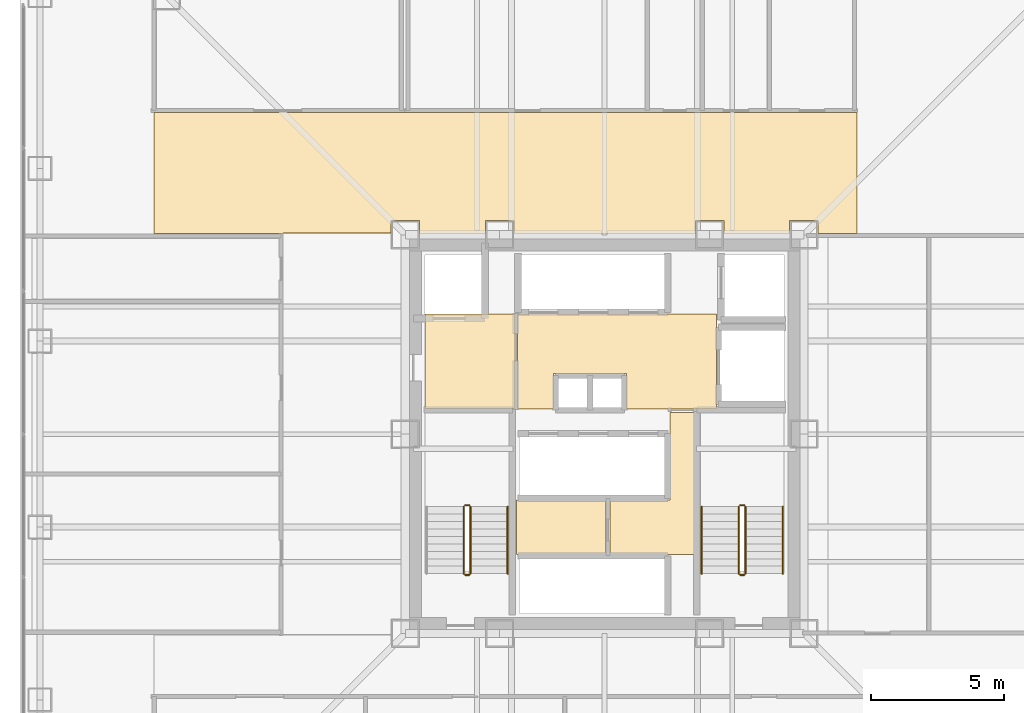
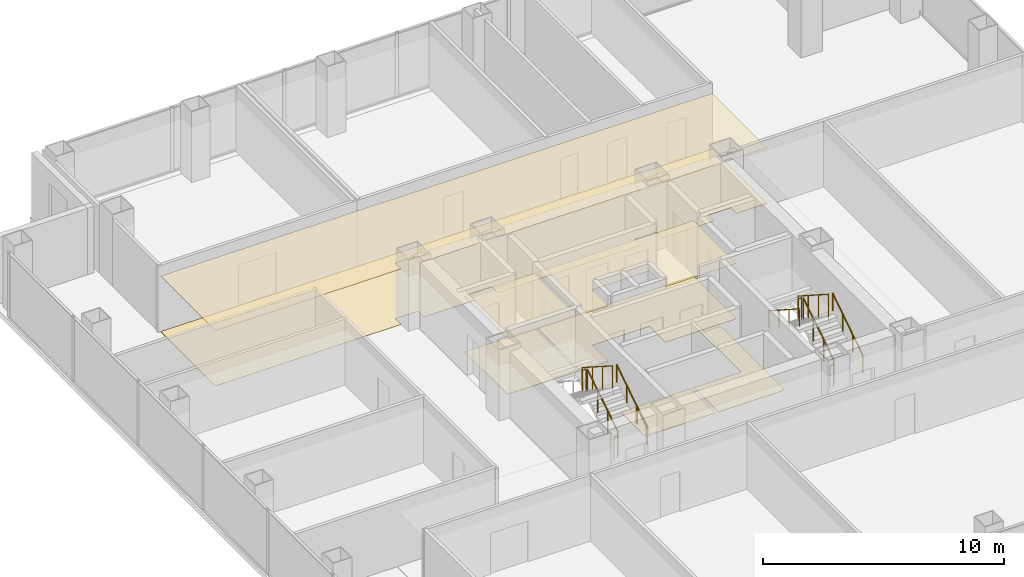
# One storey, part 13 of 14: 11 railings, 8 coverings.
"""IFC4 building model written with IfcOpenShell, lengths in metres."""

from ifc_helpers import new_model, si_unit, direction, frame, origin, origin_2d, place, context, subcontext, project, spatial, polyline, circle, outline, extrude, material, layer, layer_set, type_object, element, save


model = new_model("IFC4")

# Units and contexts
model_context = context("Model", 3, precision=1e-05, world=origin(), true_north=direction((0.0, 1.0)))
body_context = subcontext(model_context, "Body", "Model", "MODEL_VIEW")
ifc_project = project(units=[si_unit("LENGTHUNIT", "METRE"), si_unit("AREAUNIT", "SQUARE_METRE"), si_unit("VOLUMEUNIT", "CUBIC_METRE"), si_unit("PLANEANGLEUNIT", "RADIAN"), si_unit("MASSUNIT", "GRAM", prefix="KILO")], contexts=[model_context])

# Site, building, storey
site_placement = place(None, origin())
site = spatial("IfcSite", under=ifc_project, at=site_placement, CompositionType="ELEMENT")
building_placement = place(site_placement, origin())
building = spatial("IfcBuilding", under=site, at=building_placement, Name="Trevonay Congress Spire", CompositionType="ELEMENT")
storey_placement = place(building_placement, frame((0.0, 0.0, 97.60009765625)))
storey = spatial("IfcBuildingStorey", under=building, at=storey_placement, Name="L24", CompositionType="ELEMENT", Elevation=97.60009765625)

# Coverings
ifc_material_1 = material(Name="Acoustic Mineral Fibre Board", Category="gypsum")
ifc_layer_1 = layer(ifc_material_1, 0.02490234375, Name="Acoustic Mineral Fibre Board")
ifc_layer_set_1 = layer_set([ifc_layer_1], Name="Acoustic Mineral Fibre Board")
covering_type_1 = type_object("IfcCoveringType", Name="COV-CEIL-ACOUSTIC", PredefinedType="CEILING", material=ifc_layer_set_1)
covering_1_placement = place(storey_placement, frame((0.0, 0.0, 2.809814453125)))
element("IfcCovering", 1, at=covering_1_placement, inside=storey, type_object=covering_type_1, Name="L24 Firefighting Lift Lobby West acoustic suspended ceiling", PredefinedType="CEILING", context=body_context, shape_type="SweptSolid", body=[
    extrude(outline(polyline([(-6.75, 0.9599609375), (-3.3798828125, 0.9599609375), (-3.3798828125, 4.52001953125), (-6.75, 4.52001953125), (-6.75, 0.9599609375)])), origin(), (0.0, 0.0, 1.0), 0.025146484375),
])
covering_2_placement = place(storey_placement, frame((0.0, 0.0, 2.809814453125)))
element("IfcCovering", 2, at=covering_2_placement, inside=storey, type_object=covering_type_1, Name="L24 Central and High-Rise Passenger Lift Lobby acoustic suspended ceiling", PredefinedType="CEILING", context=body_context, shape_type="SweptSolid", body=[
    extrude(outline(polyline([(-3.280029296875, 0.949951171875), (-1.919921875, 0.949951171875), (-1.919921875, 2.280029296875), (0.820068359375, 2.280029296875), (0.820068359375, 0.949951171875), (4.219970703125, 0.949951171875), (4.219970703125, 4.52001953125), (-3.280029296875, 4.52001953125), (-3.280029296875, 0.949951171875)])), origin(), (0.0, 0.0, 1.0), 0.025146484375),
])
covering_3_placement = place(storey_placement, frame((0.0, 0.0, 2.809814453125)))
element("IfcCovering", 3, at=covering_3_placement, inside=storey, type_object=covering_type_1, Name="L24 North Sky Promenade Salon acoustic suspended ceiling", PredefinedType="CEILING", context=body_context, shape_type="SweptSolid", body=[
    extrude(outline(polyline([(-16.949951171875, 12.10009765625), (9.5, 12.10009765625), (9.5, 7.550048828125), (8.034912109375, 7.550048828125), (8.034912109375, 8.034912109375), (6.965087890625, 8.034912109375), (6.965087890625, 7.550048828125), (4.485107421875, 7.550048828125), (4.485107421875, 8.034912109375), (3.4150390625, 8.034912109375), (3.4150390625, 7.550048828125), (-3.4150390625, 7.550048828125), (-3.4150390625, 8.034912109375), (-4.485107421875, 8.034912109375), (-4.485107421875, 7.550048828125), (-6.965087890625, 7.550048828125), (-6.965087890625, 8.034912109375), (-8.034912109375, 8.034912109375), (-8.034912109375, 7.56005859375), (-12.110107421875, 7.56005859375), (-12.110107421875, 7.550048828125), (-16.949951171875, 7.550048828125), (-16.949951171875, 12.10009765625)])), origin(), (0.0, 0.0, 1.0), 0.025146484375),
])
ifc_material_2 = material(Name="Polished Granite Floor Tile", Category="masonry")
ifc_layer_2 = layer(ifc_material_2, 0.02001953125, Name="Polished Granite Floor Tile")
ifc_layer_set_2 = layer_set([ifc_layer_2], Name="Polished Granite Floor Tile")
covering_type_2 = type_object("IfcCoveringType", Name="COV-FLOOR-STONE", PredefinedType="FLOORING", material=ifc_layer_set_2)
covering_4_placement = place(storey_placement, origin())
element("IfcCovering", 4, at=covering_4_placement, inside=storey, type_object=covering_type_2, Name="L24 Firefighting Lift Lobby West floor finish", PredefinedType="FLOORING", context=body_context, shape_type="SweptSolid", body=[
    extrude(outline(polyline([(-6.75, 0.9599609375), (-3.3798828125, 0.9599609375), (-3.3798828125, 4.52001953125), (-6.75, 4.52001953125), (-6.75, 0.9599609375)])), origin(), (0.0, 0.0, 1.0), 0.02001953125),
])
covering_5_placement = place(storey_placement, origin())
element("IfcCovering", 5, at=covering_5_placement, inside=storey, type_object=covering_type_2, Name="L24 Central and High-Rise Passenger Lift Lobby floor finish", PredefinedType="FLOORING", context=body_context, shape_type="SweptSolid", body=[
    extrude(outline(polyline([(-3.280029296875, 0.949951171875), (-1.919921875, 0.949951171875), (-1.919921875, 2.280029296875), (0.820068359375, 2.280029296875), (0.820068359375, 0.949951171875), (4.219970703125, 0.949951171875), (4.219970703125, 4.52001953125), (-3.280029296875, 4.52001953125), (-3.280029296875, 0.949951171875)])), origin(), (0.0, 0.0, 1.0), 0.02001953125),
])
covering_6_placement = place(storey_placement, origin())
element("IfcCovering", 6, at=covering_6_placement, inside=storey, type_object=covering_type_2, Name="L24 Cleaner and Linen Closet floor finish", PredefinedType="FLOORING", context=body_context, shape_type="SweptSolid", body=[
    extrude(outline(polyline([(-3.320068359375, -4.52001953125), (0.050048828125, -4.52001953125), (0.050048828125, -2.47998046875), (-3.320068359375, -2.47998046875), (-3.320068359375, -4.52001953125)])), origin(), (0.0, 0.0, 1.0), 0.02001953125),
])
covering_7_placement = place(storey_placement, origin())
element("IfcCovering", 7, at=covering_7_placement, inside=storey, type_object=covering_type_2, Name="L24 BMS Control Room floor finish", PredefinedType="FLOORING", context=body_context, shape_type="SweptSolid", body=[
    extrude(outline(polyline([(0.199951171875, -4.52001953125), (3.3798828125, -4.52001953125), (3.3798828125, 0.820068359375), (2.4599609375, 0.820068359375), (2.4599609375, -2.47998046875), (0.199951171875, -2.47998046875), (0.199951171875, -4.52001953125)])), origin(), (0.0, 0.0, 1.0), 0.02001953125),
])
ifc_material_3 = material(Name="Engineered Oak Flooring", Category="wood")
ifc_layer_3 = layer(ifc_material_3, 0.01806640625, Name="Engineered Oak Flooring")
ifc_layer_set_3 = layer_set([ifc_layer_3], Name="Engineered Oak Flooring")
covering_type_3 = type_object("IfcCoveringType", Name="COV-FLOOR-TIMBER", PredefinedType="FLOORING", material=ifc_layer_set_3)
covering_8_placement = place(storey_placement, origin())
element("IfcCovering", 8, at=covering_8_placement, inside=storey, type_object=covering_type_3, Name="L24 North Sky Promenade Salon floor finish", PredefinedType="FLOORING", context=body_context, shape_type="SweptSolid", body=[
    extrude(outline(polyline([(-16.949951171875, 12.10009765625), (9.5, 12.10009765625), (9.5, 7.550048828125), (8.034912109375, 7.550048828125), (8.034912109375, 8.034912109375), (6.965087890625, 8.034912109375), (6.965087890625, 7.550048828125), (4.485107421875, 7.550048828125), (4.485107421875, 8.034912109375), (3.4150390625, 8.034912109375), (3.4150390625, 7.550048828125), (-3.4150390625, 7.550048828125), (-3.4150390625, 8.034912109375), (-4.485107421875, 8.034912109375), (-4.485107421875, 7.550048828125), (-6.965087890625, 7.550048828125), (-6.965087890625, 8.034912109375), (-8.034912109375, 8.034912109375), (-8.034912109375, 7.56005859375), (-12.110107421875, 7.56005859375), (-12.110107421875, 7.550048828125), (-16.949951171875, 7.550048828125), (-16.949951171875, 12.10009765625)])), origin(), (0.0, 0.0, 1.0), 0.017822265625),
])

# Railings
ifc_material_4 = material(Name="Pale Anodised Aluminium EN AW-6063-T6", Category="aluminium")
railing_type_1 = type_object("IfcRailingType", Name="RAL-STAIR-GUARD-110", PredefinedType="GUARDRAIL", material=ifc_material_4)
railing_1_placement = place(storey_placement, frame((-5.050048828125, -5.25, 0.179931640625)))
element("IfcRailing", 9, at=railing_1_placement, inside=storey, type_object=railing_type_1, Name="L24 ST-1 stair guard 1", PredefinedType="GUARDRAIL", context=body_context, shape_type="SweptSolid", body=[
    extrude(circle(Radius=0.02392578125, at=origin_2d()), frame((0.0, 0.0, 1.1259765625), z_axis=(0.0, 0.841199657755, 0.540724639528), x_axis=(-1.0, 0.0, 0.0)), (0.0, 0.0, 1.0), 2.995849609375),
    extrude(circle(Radius=0.02099609375, at=origin_2d()), origin(), (0.0, 0.0, 1.0), 1.101806640625),
    extrude(circle(Radius=0.02099609375, at=origin_2d()), frame((0.0, 0.840087890625, 0.5400390625)), (0.0, 0.0, 1.0), 1.101806640625),
    extrude(circle(Radius=0.02099609375, at=origin_2d()), frame((0.0, 1.679931640625, 1.079833984375)), (0.0, 0.0, 1.0), 1.101806640625),
    extrude(circle(Radius=0.02099609375, at=origin_2d()), frame((0.0, 2.52001953125, 1.619873046875)), (0.0, 0.0, 1.0), 1.101806640625),
])
railing_2_placement = place(storey_placement, frame((-5.10009765625, -2.679931640625, 1.7998046875)))
element("IfcRailing", 10, at=railing_2_placement, inside=storey, type_object=railing_type_1, Name="L24 ST-1 stair guard 2", PredefinedType="GUARDRAIL", context=body_context, shape_type="SweptSolid", body=[
    extrude(circle(Radius=0.02392578125, at=origin_2d()), frame((0.0, 0.0, 1.1259765625), z_axis=(-1.0, 0.0, 0.0), x_axis=(0.0, -1.0, 0.0)), (0.0, 0.0, 1.0), 0.14990234375),
    extrude(circle(Radius=0.02099609375, at=origin_2d()), origin(), (0.0, 0.0, 1.0), 1.101806640625),
    extrude(circle(Radius=0.02099609375, at=origin_2d()), frame((-0.14990234375, 0.0, 0.0)), (0.0, 0.0, 1.0), 1.101806640625),
])
railing_3_placement = place(storey_placement, frame((-5.300048828125, -2.72998046875, 1.97998046875)))
element("IfcRailing", 11, at=railing_3_placement, inside=storey, type_object=railing_type_1, Name="L24 ST-1 stair guard 3", PredefinedType="GUARDRAIL", context=body_context, shape_type="SweptSolid", body=[
    extrude(circle(Radius=0.02392578125, at=origin_2d()), frame((0.0, 0.0, 1.1259765625), z_axis=(0.0, -0.841199657755, 0.540724639528), x_axis=(1.0, 0.0, 0.0)), (0.0, 0.0, 1.0), 2.995849609375),
    extrude(circle(Radius=0.02099609375, at=origin_2d()), origin(), (0.0, 0.0, 1.0), 1.101806640625),
    extrude(circle(Radius=0.02099609375, at=origin_2d()), frame((0.0, -0.840087890625, 0.5400390625)), (0.0, 0.0, 1.0), 1.101806640625),
    extrude(circle(Radius=0.02099609375, at=origin_2d()), frame((0.0, -1.679931640625, 1.079833984375)), (0.0, 0.0, 1.0), 1.101806640625),
    extrude(circle(Radius=0.02099609375, at=origin_2d()), frame((0.0, -2.52001953125, 1.619873046875)), (0.0, 0.0, 1.0), 1.101806640625),
])
railing_4_placement = place(storey_placement, frame((-5.10009765625, -5.300048828125, 0.0)))
element("IfcRailing", 12, at=railing_4_placement, inside=storey, type_object=railing_type_1, Name="L24 ST-1 stair guard 4", PredefinedType="GUARDRAIL", context=body_context, shape_type="SweptSolid", body=[
    extrude(circle(Radius=0.02392578125, at=origin_2d()), frame((0.0, 0.0, 1.1259765625), z_axis=(-1.0, 0.0, 0.0), x_axis=(0.0, -1.0, 0.0)), (0.0, 0.0, 1.0), 0.14990234375),
    extrude(circle(Radius=0.02099609375, at=origin_2d()), origin(), (0.0, 0.0, 1.0), 1.101806640625),
    extrude(circle(Radius=0.02099609375, at=origin_2d()), frame((-0.14990234375, 0.0, 0.0)), (0.0, 0.0, 1.0), 1.101806640625),
])
railing_5_placement = place(storey_placement, frame((5.300048828125, -5.25, 0.179931640625)))
element("IfcRailing", 13, at=railing_5_placement, inside=storey, type_object=railing_type_1, Name="L24 ST-2 stair guard 1", PredefinedType="GUARDRAIL", context=body_context, shape_type="SweptSolid", body=[
    extrude(circle(Radius=0.02392578125, at=origin_2d()), frame((0.0, 0.0, 1.1259765625), z_axis=(0.0, 0.841199657755, 0.540724639528), x_axis=(-1.0, 0.0, 0.0)), (0.0, 0.0, 1.0), 2.995849609375),
    extrude(circle(Radius=0.02099609375, at=origin_2d()), origin(), (0.0, 0.0, 1.0), 1.101806640625),
    extrude(circle(Radius=0.02099609375, at=origin_2d()), frame((0.0, 0.840087890625, 0.5400390625)), (0.0, 0.0, 1.0), 1.101806640625),
    extrude(circle(Radius=0.02099609375, at=origin_2d()), frame((0.0, 1.679931640625, 1.079833984375)), (0.0, 0.0, 1.0), 1.101806640625),
    extrude(circle(Radius=0.02099609375, at=origin_2d()), frame((0.0, 2.52001953125, 1.619873046875)), (0.0, 0.0, 1.0), 1.101806640625),
])
railing_6_placement = place(storey_placement, frame((5.25, -2.679931640625, 1.7998046875)))
element("IfcRailing", 14, at=railing_6_placement, inside=storey, type_object=railing_type_1, Name="L24 ST-2 stair guard 2", PredefinedType="GUARDRAIL", context=body_context, shape_type="SweptSolid", body=[
    extrude(circle(Radius=0.02392578125, at=origin_2d()), frame((0.0, 0.0, 1.1259765625), z_axis=(-1.0, 0.0, 0.0), x_axis=(0.0, -1.0, 0.0)), (0.0, 0.0, 1.0), 0.14990234375),
    extrude(circle(Radius=0.02099609375, at=origin_2d()), origin(), (0.0, 0.0, 1.0), 1.101806640625),
    extrude(circle(Radius=0.02099609375, at=origin_2d()), frame((-0.14990234375, 0.0, 0.0)), (0.0, 0.0, 1.0), 1.101806640625),
])
railing_7_placement = place(storey_placement, frame((5.050048828125, -2.72998046875, 1.97998046875)))
element("IfcRailing", 15, at=railing_7_placement, inside=storey, type_object=railing_type_1, Name="L24 ST-2 stair guard 3", PredefinedType="GUARDRAIL", context=body_context, shape_type="SweptSolid", body=[
    extrude(circle(Radius=0.02392578125, at=origin_2d()), frame((0.0, 0.0, 1.1259765625), z_axis=(0.0, -0.841199657755, 0.540724639528), x_axis=(1.0, 0.0, 0.0)), (0.0, 0.0, 1.0), 2.995849609375),
    extrude(circle(Radius=0.02099609375, at=origin_2d()), origin(), (0.0, 0.0, 1.0), 1.101806640625),
    extrude(circle(Radius=0.02099609375, at=origin_2d()), frame((0.0, -0.840087890625, 0.5400390625)), (0.0, 0.0, 1.0), 1.101806640625),
    extrude(circle(Radius=0.02099609375, at=origin_2d()), frame((0.0, -1.679931640625, 1.079833984375)), (0.0, 0.0, 1.0), 1.101806640625),
    extrude(circle(Radius=0.02099609375, at=origin_2d()), frame((0.0, -2.52001953125, 1.619873046875)), (0.0, 0.0, 1.0), 1.101806640625),
])
railing_8_placement = place(storey_placement, frame((5.25, -5.300048828125, 0.0)))
element("IfcRailing", 16, at=railing_8_placement, inside=storey, type_object=railing_type_1, Name="L24 ST-2 stair guard 4", PredefinedType="GUARDRAIL", context=body_context, shape_type="SweptSolid", body=[
    extrude(circle(Radius=0.02392578125, at=origin_2d()), frame((0.0, 0.0, 1.1259765625), z_axis=(-1.0, 0.0, 0.0), x_axis=(0.0, -1.0, 0.0)), (0.0, 0.0, 1.0), 0.14990234375),
    extrude(circle(Radius=0.02099609375, at=origin_2d()), origin(), (0.0, 0.0, 1.0), 1.101806640625),
    extrude(circle(Radius=0.02099609375, at=origin_2d()), frame((-0.14990234375, 0.0, 0.0)), (0.0, 0.0, 1.0), 1.101806640625),
])
railing_type_2 = type_object("IfcRailingType", Name="RAL-STAIR-HANDRAIL", PredefinedType="HANDRAIL", material=ifc_material_4)
for number, where, name in (
    (17, (-3.64990234375, -5.25, 0.179931640625), "L24 ST-1 stair handrail 1"),
    (18, (6.699951171875, -5.25, 0.179931640625), "L24 ST-2 stair handrail 1"),
):
    element("IfcRailing", number, at=place(storey_placement, frame(where)), inside=storey, type_object=railing_type_2, Name=name, PredefinedType="HANDRAIL", context=body_context, shape_type="SweptSolid", body=[
        extrude(circle(Radius=0.02392578125, at=origin_2d()), frame((0.0, 0.0, 0.8759765625), z_axis=(0.0, 0.841199657755, 0.540724639528), x_axis=(-1.0, 0.0, 0.0)), (0.0, 0.0, 1.0), 2.995849609375),
        extrude(circle(Radius=0.02099609375, at=origin_2d()), origin(), (0.0, 0.0, 1.0), 0.851806640625),
        extrude(circle(Radius=0.02099609375, at=origin_2d()), frame((0.0, 0.840087890625, 0.5400390625)), (0.0, 0.0, 1.0), 0.851806640625),
        extrude(circle(Radius=0.02099609375, at=origin_2d()), frame((0.0, 1.679931640625, 1.079833984375)), (0.0, 0.0, 1.0), 0.851806640625),
        extrude(circle(Radius=0.02099609375, at=origin_2d()), frame((0.0, 2.52001953125, 1.619873046875)), (0.0, 0.0, 1.0), 0.851806640625),
    ])
railing_9_placement = place(storey_placement, frame((3.64990234375, -2.72998046875, 1.97998046875)))
element("IfcRailing", 19, at=railing_9_placement, inside=storey, type_object=railing_type_2, Name="L24 ST-2 stair handrail 2", PredefinedType="HANDRAIL", context=body_context, shape_type="SweptSolid", body=[
    extrude(circle(Radius=0.02392578125, at=origin_2d()), frame((0.0, 0.0, 0.8759765625), z_axis=(0.0, -0.841199657755, 0.540724639528), x_axis=(1.0, 0.0, 0.0)), (0.0, 0.0, 1.0), 2.995849609375),
    extrude(circle(Radius=0.02099609375, at=origin_2d()), origin(), (0.0, 0.0, 1.0), 0.851806640625),
    extrude(circle(Radius=0.02099609375, at=origin_2d()), frame((0.0, -0.840087890625, 0.5400390625)), (0.0, 0.0, 1.0), 0.851806640625),
    extrude(circle(Radius=0.02099609375, at=origin_2d()), frame((0.0, -1.679931640625, 1.079833984375)), (0.0, 0.0, 1.0), 0.851806640625),
    extrude(circle(Radius=0.02099609375, at=origin_2d()), frame((0.0, -2.52001953125, 1.619873046875)), (0.0, 0.0, 1.0), 0.851806640625),
])

save(model, "model.ifc")
